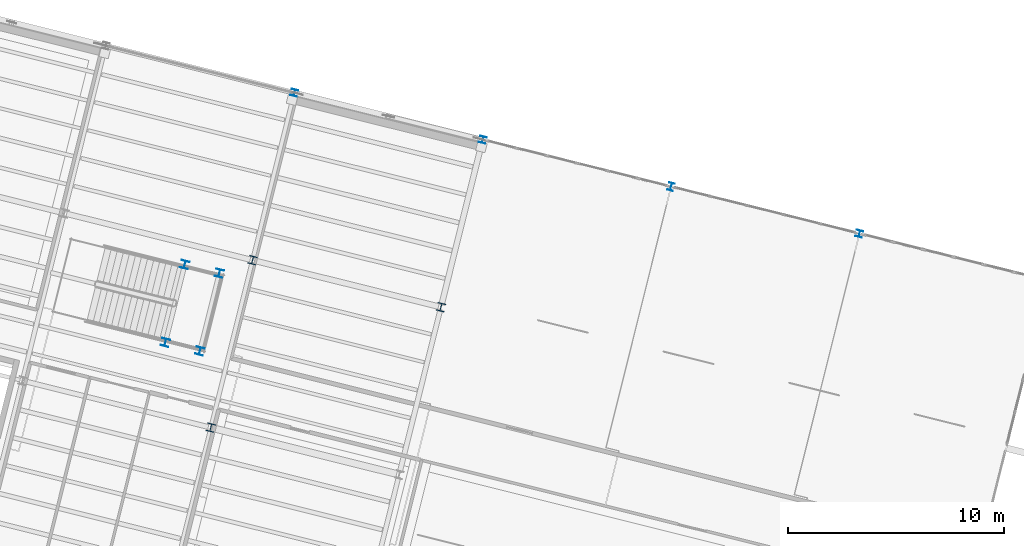
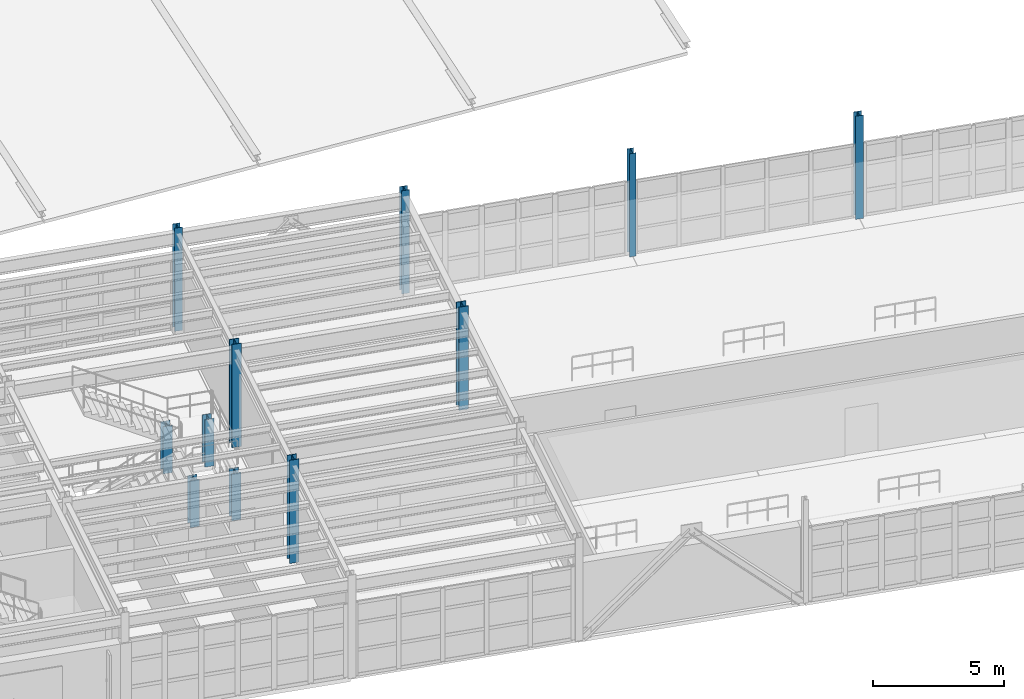
# One storey, part 5 of 59: 11 columns.
"""IFC4 building model written with IfcOpenShell, lengths in metres."""

from ifc_helpers import new_model, si_unit, direction, frame, origin, origin_2d, place, context, subcontext, project, spatial, i_section, extrude, material, material_profile, profile_set, type_object, element, save


model = new_model("IFC4")

# Units and contexts
model_context = context("Model", 3, precision=1e-05, world=origin(), true_north=direction((0.0, 1.0)))
body_context = subcontext(model_context, "Body", "Model", "MODEL_VIEW")
ifc_project = project(units=[si_unit("LENGTHUNIT", "METRE"), si_unit("AREAUNIT", "SQUARE_METRE"), si_unit("VOLUMEUNIT", "CUBIC_METRE"), si_unit("PLANEANGLEUNIT", "RADIAN"), si_unit("MASSUNIT", "GRAM", prefix="KILO")], contexts=[model_context])

# Site, building, storey
site_placement = place(None, origin())
site = spatial("IfcSite", under=ifc_project, at=site_placement, CompositionType="ELEMENT")
building_placement = place(site_placement, origin())
building = spatial("IfcBuilding", under=site, at=building_placement, Name="Vireo Bluff Cable Station", CompositionType="ELEMENT")
storey_placement = place(building_placement, frame((0.0, 0.0, 14.39990234375)))
storey = spatial("IfcBuildingStorey", under=building, at=storey_placement, Name="L03", CompositionType="ELEMENT", Elevation=14.39990234375)

# Columns
ifc_material = material(Name="Steel ASTM A992 Gr. 50", Category="steel")
ifc_material_profile_1 = material_profile(ifc_material, i_section(OverallWidth=0.373046875, OverallDepth=0.367919921875, WebThickness=0.014892578125, FlangeThickness=0.02392578125, FilletRadius=0.014892578125, at=origin_2d()), Name="W14X120")
ifc_profile_set_1 = profile_set([ifc_material_profile_1], Name="Steel ASTM A992 Gr. 50")
column_type_1 = type_object("IfcColumnType", Name="COL-W14X120", PredefinedType="COLUMN", material=ifc_profile_set_1)
column_1_placement = place(storey_placement, frame((73.400634765625, 41.40771484375, 0.0), z_axis=(0.0, 0.0, 1.0), x_axis=(0.970295726276, -0.2419218956, 0.0)))
element("IfcColumn", 1, at=column_1_placement, inside=storey, type_object=column_type_1, Name="V1 L03 column 49", PredefinedType="COLUMN", context=body_context, shape_type="SweptSolid", body=[
    extrude(i_section(OverallWidth=0.373046875, OverallDepth=0.367919921875, WebThickness=0.014892578125, FlangeThickness=0.02392578125, FilletRadius=0.014892578125, at=origin_2d()), origin(), (0.0, 0.0, 1.0), 4.800048828125),
])
ifc_material_profile_2 = material_profile(ifc_material, i_section(OverallWidth=0.373046875, OverallDepth=0.373046875, WebThickness=0.016357421875, FlangeThickness=0.026123046875, FilletRadius=0.014892578125, at=origin_2d()), Name="W14X132")
ifc_profile_set_2 = profile_set([ifc_material_profile_2], Name="Steel ASTM A992 Gr. 50")
column_type_2 = type_object("IfcColumnType", Name="COL-W14X132", PredefinedType="COLUMN", material=ifc_profile_set_2)
for number, where, z_axis, x_axis, name in (
    (2, (75.336181640625, 49.170166015625, 0.0), (0.0, 0.0, 1.0), (0.970295726276, -0.2419218956, 0.0), "V1 L03 column 54"),
    (3, (84.06884765625, 46.992919921875, 0.0), (0.0, 0.0, 1.0), (0.970295726276, -0.2419218956, 0.0), "V1 L03 column 74"),
):
    element("IfcColumn", number, at=place(storey_placement, frame(where, z_axis=z_axis, x_axis=x_axis)), inside=storey, type_object=column_type_2, Name=name, PredefinedType="COLUMN", context=body_context, shape_type="SweptSolid", body=[
        extrude(i_section(OverallWidth=0.373046875, OverallDepth=0.373046875, WebThickness=0.016357421875, FlangeThickness=0.026123046875, FilletRadius=0.014892578125, at=origin_2d()), origin(), (0.0, 0.0, 1.0), 4.800048828125),
    ])
ifc_material_profile_3 = material_profile(ifc_material, i_section(OverallWidth=0.367919921875, OverallDepth=0.35595703125, WebThickness=0.01123046875, FlangeThickness=0.01806640625, FilletRadius=0.014892578125, at=origin_2d()), Name="W14X90")
ifc_profile_set_3 = profile_set([ifc_material_profile_3], Name="Steel ASTM A992 Gr. 50")
column_type_3 = type_object("IfcColumnType", Name="COL-W14X90", PredefinedType="COLUMN", material=ifc_profile_set_3)
for number, where, z_axis, x_axis, name in (
    (4, (71.29296875, 45.35498046875, 0.0), (0.0, 0.0, 1.0), (0.970295726276, -0.2419218956, 0.0), "ST-10 L03 landing support column 1"),
    (5, (72.89404296875, 44.955810546875, 0.0), (0.0, 0.0, 1.0), (0.970295726276, -0.2419218956, 0.0), "ST-10 L03 landing support column 2"),
    (6, (72.19287109375, 48.96435546875, 0.0), (0.0, 0.0, 1.0), (0.970295726276, -0.2419218956, 0.0), "ST-10 L03 landing support column 3"),
    (7, (73.7939453125, 48.565185546875, 0.0), (0.0, 0.0, 1.0), (0.970295726276, -0.2419218956, 0.0), "ST-10 L03 landing support column 4"),
):
    element("IfcColumn", number, at=place(storey_placement, frame(where, z_axis=z_axis, x_axis=x_axis)), inside=storey, type_object=column_type_3, Name=name, PredefinedType="COLUMN", context=body_context, shape_type="SweptSolid", body=[
        extrude(i_section(OverallWidth=0.367919921875, OverallDepth=0.35595703125, WebThickness=0.01123046875, FlangeThickness=0.01806640625, FilletRadius=0.014892578125, at=origin_2d()), origin(), (0.0, 0.0, 1.0), 2.2001953125),
    ])
ifc_material_profile_4 = material_profile(ifc_material, i_section(OverallWidth=0.304931640625, OverallDepth=0.306884765625, WebThickness=0.010009765625, FlangeThickness=0.015380859375, FilletRadius=0.012939453125, at=origin_2d()), Name="W12X65")
ifc_profile_set_4 = profile_set([ifc_material_profile_4], Name="Steel ASTM A992 Gr. 50")
column_type_4 = type_object("IfcColumnType", Name="ECOL-W12X65", PredefinedType="COLUMN", material=ifc_profile_set_4)
for number, where, z_axis, x_axis, name in (
    (8, (77.271484375, 56.9326171875, 0.0), (0.0, 0.0, 1.0), (0.970295726276, -0.2419218956, 0.0), "V1 L03 column 59"),
    (9, (86.004150390625, 54.755126953125, 0.0), (0.0, 0.0, 1.0), (0.970295726276, -0.2419218956, 0.0), "V1 L03 column 79"),
    (10, (103.469482421875, 50.400634765625, 0.0), (0.0, 0.0, 1.0), (0.970295726276, -0.2419218956, 0.0), "V1 L03 column 111"),
):
    element("IfcColumn", number, at=place(storey_placement, frame(where, z_axis=z_axis, x_axis=x_axis)), inside=storey, type_object=column_type_4, Name=name, PredefinedType="COLUMN", context=body_context, shape_type="SweptSolid", body=[
        extrude(i_section(OverallWidth=0.304931640625, OverallDepth=0.306884765625, WebThickness=0.010009765625, FlangeThickness=0.015380859375, FilletRadius=0.012939453125, at=origin_2d()), origin(), (0.0, 0.0, 1.0), 4.800048828125),
    ])
ifc_material_profile_5 = material_profile(ifc_material, i_section(OverallWidth=0.25390625, OverallDepth=0.35302734375, WebThickness=0.009521484375, FlangeThickness=0.016357421875, FilletRadius=0.011962890625, at=origin_2d()), Name="W14X61")
ifc_profile_set_5 = profile_set([ifc_material_profile_5], Name="Steel ASTM A992 Gr. 50")
column_type_5 = type_object("IfcColumnType", Name="PIL-W14X61", PredefinedType="PILASTER", material=ifc_profile_set_5)
column_2_placement = place(storey_placement, frame((94.73681640625, 52.577880859375, 0.0), z_axis=(0.0, 0.0, 1.0), x_axis=(0.970295726276, -0.2419218956, 0.0)))
element("IfcColumn", 11, at=column_2_placement, inside=storey, type_object=column_type_5, Name="V1 L03 column 95", PredefinedType="PILASTER", context=body_context, shape_type="SweptSolid", body=[
    extrude(i_section(OverallWidth=0.25390625, OverallDepth=0.35302734375, WebThickness=0.009521484375, FlangeThickness=0.016357421875, FilletRadius=0.011962890625, at=origin_2d()), origin(), (0.0, 0.0, 1.0), 4.800048828125),
])

save(model, "model.ifc")
